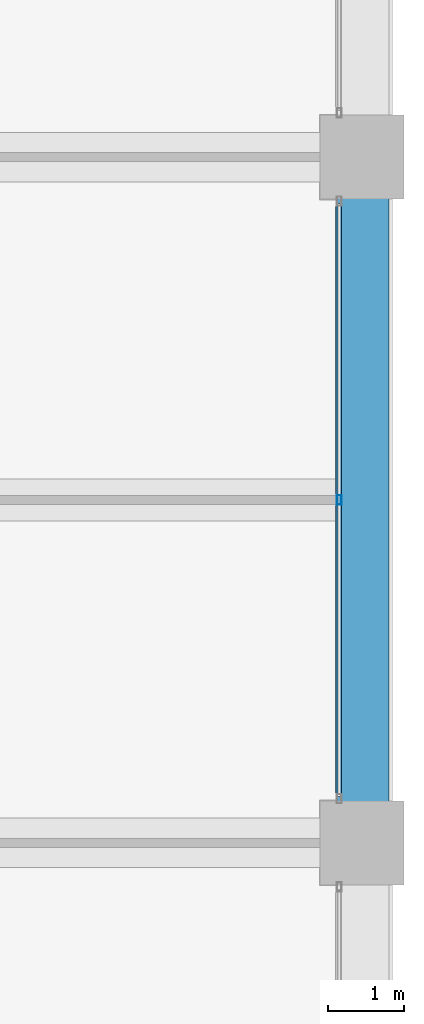
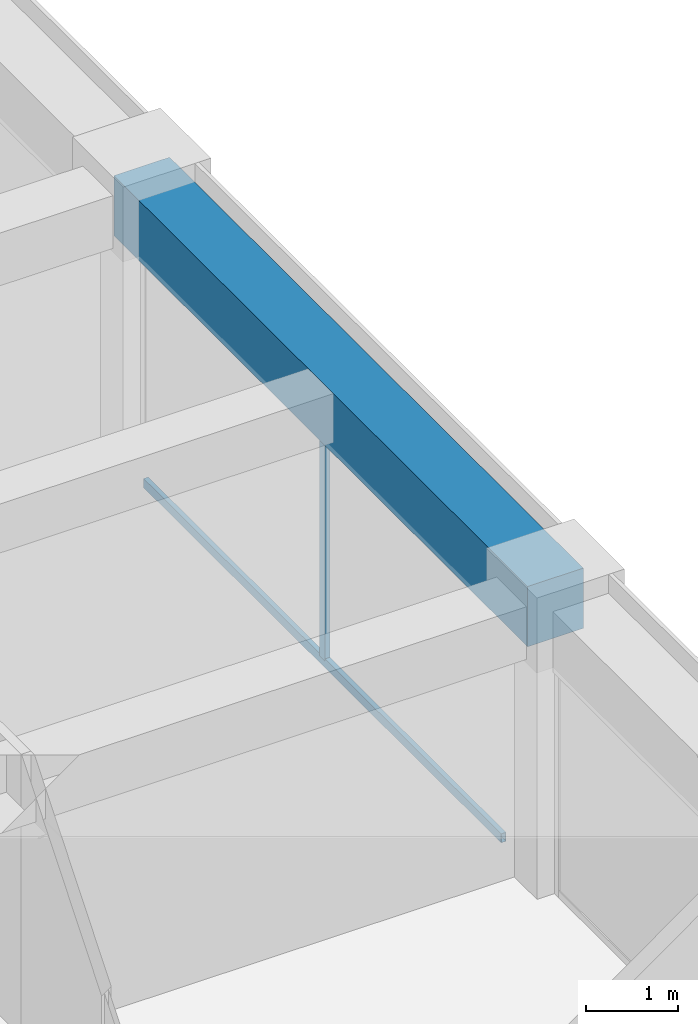
# One storey, part 25 of 45: 2 members, 1 beam, 1 element without a shape of its own.
"""IFC4 building model written with IfcOpenShell, lengths in metres."""

from ifc_helpers import new_model, si_unit, direction, frame, origin, origin_2d, place, context, subcontext, project, spatial, rectangle, hollow_rectangle, extrude, material, material_profile, profile_set, type_object, element, aggregate, save


model = new_model("IFC4")

# Units and contexts
model_context = context("Model", 3, precision=1e-05, world=origin(), true_north=direction((0.0, 1.0)))
body_context = subcontext(model_context, "Body", "Model", "MODEL_VIEW")
ifc_project = project(units=[si_unit("LENGTHUNIT", "METRE"), si_unit("AREAUNIT", "SQUARE_METRE"), si_unit("VOLUMEUNIT", "CUBIC_METRE"), si_unit("PLANEANGLEUNIT", "RADIAN"), si_unit("MASSUNIT", "GRAM", prefix="KILO")], contexts=[model_context])

# Site, building, storey
site_placement = place(None, origin())
site = spatial("IfcSite", under=ifc_project, at=site_placement, CompositionType="ELEMENT")
building_placement = place(site_placement, origin())
building = spatial("IfcBuilding", under=site, at=building_placement, Name="Zorevar Civic Tower", CompositionType="ELEMENT")
storey_placement = place(building_placement, frame((0.0, 0.0, 279.39990234375)))
storey = spatial("IfcBuildingStorey", under=building, at=storey_placement, Name="L68", CompositionType="ELEMENT", Elevation=279.39990234375)

# Curtain wall, members
ifc_material_1 = material(Name="Dark grey solar-control glass in black aluminium frame", Category="aluminium")
curtain_wall_type = type_object("IfcCurtainWallType", Name="Curtain wall CW5 top zone", PredefinedType="NOTDEFINED", material=ifc_material_1)
curtain_wall_placement = place(storey_placement, origin())
curtain_wall = element("IfcCurtainWall", 1, at=curtain_wall_placement, inside=storey, type_object=curtain_wall_type, Name="CW5 L68", PredefinedType="NOTDEFINED")
ifc_material_2 = material(Name="Aluminium, black anodised", Category="aluminium")
ifc_material_profile_1 = material_profile(ifc_material_2, hollow_rectangle(XDim=0.06005859375, YDim=0.1201171875, WallThickness=0.0029296875, at=origin_2d()), Name="AL 120x60x3")
ifc_profile_set_1 = profile_set([ifc_material_profile_1], Name="Aluminium, black anodised")
member_type_1 = type_object("IfcMemberType", Name="CW5 mullion AL 120x60x3", PredefinedType="MULLION", material=ifc_profile_set_1)
member_1_placement = place(storey_placement, frame((53.699951171875, 22.5, 0.06005859375), z_axis=(0.0, 0.0, 1.0), x_axis=(-1.0, 0.0, 0.0)))
member_1 = element("IfcMember", 2, at=member_1_placement, type_object=member_type_1, Name="CW5 mullion 2", PredefinedType="MULLION", context=body_context, shape_type="SweptSolid", body=[
    extrude(hollow_rectangle(XDim=0.06005859375, YDim=0.1201171875, WallThickness=0.0029296875, at=origin_2d()), origin(), (0.0, 0.0, 1.0), 2.89013671875),
])
ifc_material_3 = material(Name="Aluminium, black anodised", Category="aluminium")
ifc_material_profile_2 = material_profile(ifc_material_3, hollow_rectangle(XDim=0.06005859375, YDim=0.1201171875, WallThickness=0.0029296875, at=origin_2d()), Name="AL 120x60x3")
ifc_profile_set_2 = profile_set([ifc_material_profile_2], Name="Aluminium, black anodised")
member_type_2 = type_object("IfcMemberType", Name="CW5 transom AL 120x60x3", PredefinedType="USERDEFINED", material=ifc_profile_set_2)
member_2_placement = place(storey_placement, frame((53.699951171875, 18.610107421875, 0.030029296875), z_axis=(0.0, 1.0, 0.0), x_axis=(-1.0, 0.0, 0.0)))
member_2 = element("IfcMember", 3, at=member_2_placement, type_object=member_type_2, Name="CW5 sill transom", ObjectType="TRANSOM", PredefinedType="USERDEFINED", context=body_context, shape_type="SweptSolid", body=[
    extrude(hollow_rectangle(XDim=0.06005859375, YDim=0.1201171875, WallThickness=0.0029296875, at=origin_2d()), origin(), (0.0, 0.0, 1.0), 7.77978515625),
])
aggregate(curtain_wall, [member_1, member_2])

# Beam
ifc_material_4 = material(Name="Concrete C50/60", Category="concrete")
ifc_material_profile_3 = material_profile(ifc_material_4, rectangle(XDim=0.699951171875, YDim=0.800048828125, at=origin_2d()), Name="RC 700x800")
ifc_profile_set_3 = profile_set([ifc_material_profile_3], Name="Concrete C50/60")
beam_type = type_object("IfcBeamType", Name="Edge beam RC 700x800", PredefinedType="SPANDREL", material=ifc_profile_set_3)
beam_placement = place(storey_placement, frame((54.0, 18.0, 3.35009765625), z_axis=(0.0, 1.0, 0.0), x_axis=(-1.0, 0.0, 0.0)))
element("IfcBeam", 4, at=beam_placement, inside=storey, type_object=beam_type, Name="Edge beam L69", PredefinedType="SPANDREL", context=body_context, shape_type="SweptSolid", body=[
    extrude(rectangle(XDim=0.699951171875, YDim=0.800048828125, at=origin_2d()), origin(), (0.0, 0.0, 1.0), 9.0),
])

save(model, "model.ifc")
